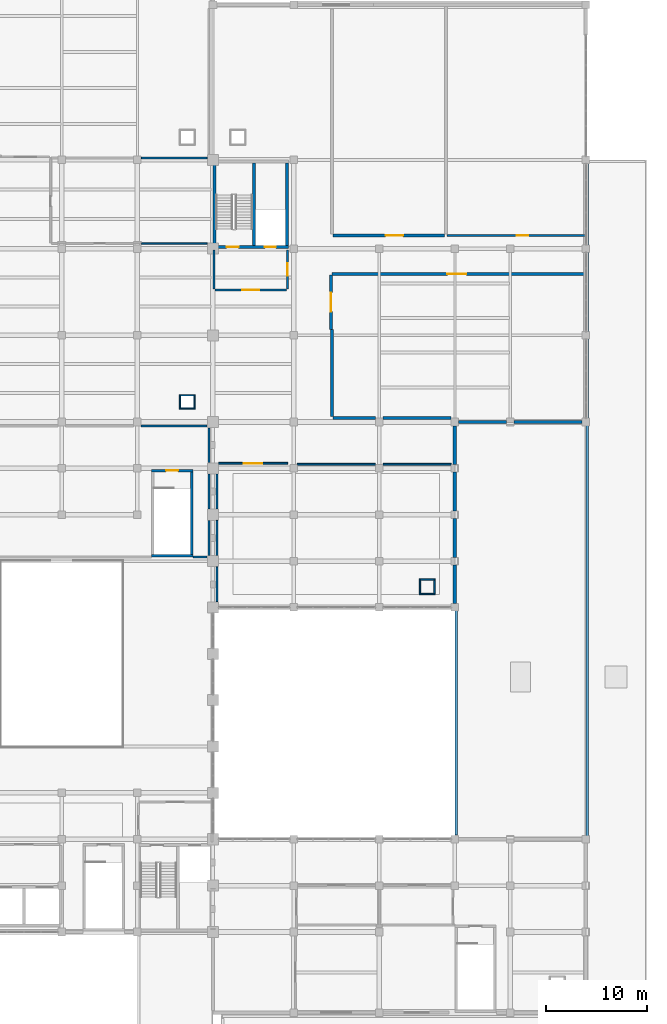
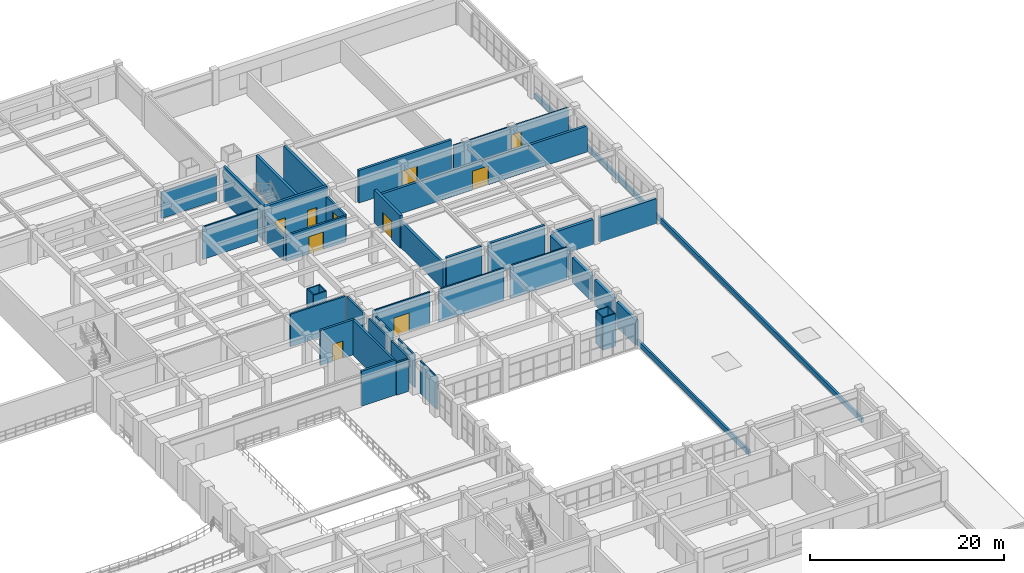
# One storey, part 77 of 90: 46 walls, 10 doors, 10 openings.
"""IFC4 building model written with IfcOpenShell, lengths in metres."""

from ifc_helpers import new_model, si_unit, direction, frame, frame_2d, origin, place, context, subcontext, project, spatial, rectangle, extrude, material, layer, layer_set, type_object, element, fill, save


model = new_model("IFC4")

# Units and contexts
model_context = context("Model", 3, precision=1e-05, world=origin(), true_north=direction((0.0, 1.0)))
body_context = subcontext(model_context, "Body", "Model", "MODEL_VIEW")
ifc_project = project(units=[si_unit("LENGTHUNIT", "METRE"), si_unit("AREAUNIT", "SQUARE_METRE"), si_unit("VOLUMEUNIT", "CUBIC_METRE"), si_unit("PLANEANGLEUNIT", "RADIAN"), si_unit("MASSUNIT", "GRAM", prefix="KILO")], contexts=[model_context])

# Site, building, storey
site_placement = place(None, origin())
site = spatial("IfcSite", under=ifc_project, at=site_placement, CompositionType="ELEMENT")
building_placement = place(site_placement, origin())
building = spatial("IfcBuilding", under=site, at=building_placement, Name="Muzn Square Opera House", CompositionType="ELEMENT")
storey_placement = place(building_placement, frame((0.0, 0.0, 9.800048828125)))
storey = spatial("IfcBuildingStorey", under=building, at=storey_placement, Name="L02", CompositionType="ELEMENT", Elevation=9.800048828125)

# Walls
ifc_material_1 = material(Name="Concrete C45/55", Category="concrete")
ifc_layer_1 = layer(ifc_material_1, 0.25, Name="Concrete C45/55", Category="concrete")
ifc_layer_set_1 = layer_set([ifc_layer_1], Name="Concrete C45/55")
wall_type_1 = type_object("IfcWallType", Name="Aux Stair Enclosure Wall 250mm", PredefinedType="SHEAR", material=ifc_layer_set_1)
wall_1_placement = place(storey_placement, frame((126.89990234375, 59.324951171875, 0.0), z_axis=(0.0, 0.0, 1.0), x_axis=(1.0, 0.0, 0.0)))
element("IfcWall", 1, at=wall_1_placement, inside=storey, type_object=wall_type_1, Name="Escape Stair ST-10 Wall S L02", PredefinedType="SHEAR", context=body_context, shape_type="SweptSolid", body=[
    extrude(rectangle(XDim=4.10009765625, YDim=0.25, at=frame_2d((2.050048828125, 0.0))), origin(), (0.0, 0.0, 1.0), 4.39990234375),
])
wall_2_placement = place(storey_placement, frame((130.875, 59.449951171875, 0.0), z_axis=(0.0, 0.0, 1.0), x_axis=(0.0, 1.0, 0.0)))
element("IfcWall", 2, at=wall_2_placement, inside=storey, type_object=wall_type_1, Name="Escape Stair ST-10 Wall E L02", PredefinedType="SHEAR", context=body_context, shape_type="SweptSolid", body=[
    extrude(rectangle(XDim=8.199951171875, YDim=0.25, at=frame_2d((4.10009765625, 0.0))), origin(), (0.0, 0.0, 1.0), 4.39990234375),
])

# Wall, opening, door
wall_3_placement = place(storey_placement, frame((126.89990234375, 67.77490234375, 0.0), z_axis=(0.0, 0.0, 1.0), x_axis=(1.0, 0.0, 0.0)))
wall_3 = element("IfcWall", 3, at=wall_3_placement, inside=storey, type_object=wall_type_1, Name="Escape Stair ST-10 Wall N L02", PredefinedType="SHEAR", context=body_context, shape_type="SweptSolid", body=[
    extrude(rectangle(XDim=4.10009765625, YDim=0.25, at=frame_2d((2.050048828125, 0.0))), origin(), (0.0, 0.0, 1.0), 4.39990234375),
])
opening_1_placement = place(wall_3_placement, frame((1.449951171875, 0.0, 0.0)))
opening_1 = element("IfcOpeningElement", 4, at=opening_1_placement, cuts=wall_3, Name="Opening DR-ST12", PredefinedType="OPENING", context=body_context, shape_type="SweptSolid", body=[
    extrude(rectangle(XDim=1.199951171875, YDim=2.14990234375, at=frame_2d((0.60009765625, 1.074951171875))), frame((0.0, 0.135009765625, 0.0), z_axis=(0.0, -1.0, 0.0), x_axis=(1.0, 0.0, 0.0)), (0.0, 0.0, 1.0), 0.27001953125),
])
ifc_material_2 = material(Name="Galvanised painted steel leaf", Category="metal")
door_type_1 = type_object("IfcDoorType", Name="Core Stair Fire Door 1200x2150", OperationType="NOTDEFINED", PredefinedType="DOOR", material=ifc_material_2)
door_1_placement = place(opening_1_placement, origin())
door_1 = element("IfcDoor", 5, at=door_1_placement, inside=storey, type_object=door_type_1, Name="Escape Stair ST-10 Door L02", OperationType="SINGLE_SWING_LEFT", OverallHeight=2.14990234375, OverallWidth=1.199951171875, PredefinedType="DOOR", context=body_context, shape_type="SweptSolid", body=[
    extrude(rectangle(XDim=1.199951171875, YDim=2.14990234375, at=frame_2d((0.60009765625, 1.074951171875))), frame((0.0, 0.02490234375, 0.0), z_axis=(0.0, -1.0, 0.0), x_axis=(1.0, 0.0, 0.0)), (0.0, 0.0, 1.0), 0.050048828125),
])
fill(opening_1, door_1)

# Walls
ifc_layer_2 = layer(ifc_material_1, 0.300048828125, Name="Concrete C45/55", Category="concrete")
ifc_layer_set_2 = layer_set([ifc_layer_2], Name="Concrete C45/55")
wall_type_2 = type_object("IfcWallType", Name="Core Shear Wall 300mm", PredefinedType="SHEAR", material=ifc_layer_set_2)
for number, where, z_axis, x_axis, name in (
    (6, (133.14990234375, 90.10009765625, 0.0), (0.0, 0.0, 1.0), (0.0, 1.0, 0.0), "Core C5 Shear Wall SW-C5-L02-W"),
    (7, (140.35009765625, 90.10009765625, 0.0), (0.0, 0.0, 1.0), (0.0, 1.0, 0.0), "Core C5 Shear Wall SW-C5-L02-E"),
    (8, (137.050048828125, 90.10009765625, 0.0), (0.0, 0.0, 1.0), (0.0, 1.0, 0.0), "Core C5 Shear Wall SW-C5-L02-DIV"),
):
    element("IfcWall", number, at=place(storey_placement, frame(where, z_axis=z_axis, x_axis=x_axis)), inside=storey, type_object=wall_type_2, Name=name, PredefinedType="SHEAR", context=body_context, shape_type="SweptSolid", body=[
        extrude(rectangle(XDim=8.199951171875, YDim=0.300048828125, at=frame_2d((4.10009765625, 0.0))), origin(), (0.0, 0.0, 1.0), 4.39990234375),
    ])

# Wall, openings, doors
wall_4_placement = place(storey_placement, frame((133.0, 89.949951171875, 0.0), z_axis=(0.0, 0.0, 1.0), x_axis=(1.0, 0.0, 0.0)))
wall_4 = element("IfcWall", 9, at=wall_4_placement, inside=storey, type_object=wall_type_2, Name="Core C5 Front Shear Wall L02", PredefinedType="SHEAR", context=body_context, shape_type="SweptSolid", body=[
    extrude(rectangle(XDim=7.5, YDim=0.300048828125, at=frame_2d((3.75, 0.0))), origin(), (0.0, 0.0, 1.0), 4.39990234375),
])
opening_2_placement = place(wall_4_placement, frame((2.550048828125, 0.0, 0.0), z_axis=(0.0, 0.0, 1.0), x_axis=(-1.0, 0.0, 0.0)))
opening_2 = element("IfcOpeningElement", 10, at=opening_2_placement, cuts=wall_4, Name="Opening DR-ST12", PredefinedType="OPENING", context=body_context, shape_type="SweptSolid", body=[
    extrude(rectangle(XDim=1.199951171875, YDim=2.14990234375, at=frame_2d((0.60009765625, 1.074951171875))), frame((0.0, 0.159912109375, 0.0), z_axis=(0.0, -1.0, 0.0), x_axis=(1.0, 0.0, 0.0)), (0.0, 0.0, 1.0), 0.320068359375),
])
opening_3_placement = place(wall_4_placement, frame((5.14990234375, 0.0, 0.0)))
opening_3 = element("IfcOpeningElement", 11, at=opening_3_placement, cuts=wall_4, Name="Opening LD-01", PredefinedType="OPENING", context=body_context, shape_type="SweptSolid", body=[
    extrude(rectangle(XDim=1.10009765625, YDim=2.14990234375, at=frame_2d((0.550048828125, 1.074951171875))), frame((0.0, 0.159912109375, 0.0), z_axis=(0.0, -1.0, 0.0), x_axis=(1.0, 0.0, 0.0)), (0.0, 0.0, 1.0), 0.320068359375),
])
door_2_placement = place(opening_2_placement, origin())
door_2 = element("IfcDoor", 12, at=door_2_placement, inside=storey, type_object=door_type_1, Name="Core C5 Stair Door L02", OperationType="SINGLE_SWING_RIGHT", OverallHeight=2.14990234375, OverallWidth=1.199951171875, PredefinedType="DOOR", context=body_context, shape_type="SweptSolid", body=[
    extrude(rectangle(XDim=1.199951171875, YDim=2.14990234375, at=frame_2d((0.60009765625, 1.074951171875))), frame((0.0, 0.02490234375, 0.0), z_axis=(0.0, -1.0, 0.0), x_axis=(1.0, 0.0, 0.0)), (0.0, 0.0, 1.0), 0.050048828125),
])
fill(opening_2, door_2)
ifc_material_3 = material(Name="Brushed stainless steel", Category="metal")
door_type_2 = type_object("IfcDoorType", Name="Lift Landing Sliding Door 1100x2150", OperationType="SLIDING_TO_LEFT", PredefinedType="DOOR", material=ifc_material_3)
door_3_placement = place(opening_3_placement, origin())
door_3 = element("IfcDoor", 13, at=door_3_placement, inside=storey, type_object=door_type_2, Name="Lift PL-5 Sliding Landing Door L02", OperationType="SLIDING_TO_LEFT", OverallHeight=2.14990234375, OverallWidth=1.10009765625, PredefinedType="DOOR", context=body_context, shape_type="SweptSolid", body=[
    extrude(rectangle(XDim=1.10009765625, YDim=2.14990234375, at=frame_2d((0.550048828125, 1.074951171875))), frame((0.0, 0.02490234375, 0.0), z_axis=(0.0, -1.0, 0.0), x_axis=(1.0, 0.0, 0.0)), (0.0, 0.0, 1.0), 0.050048828125),
])
fill(opening_3, door_3)

# Walls
ifc_material_4 = material(Name="Acoustic gypsum stud partition", Category="gypsum")
ifc_layer_3 = layer(ifc_material_4, 0.199951171875, Name="Acoustic gypsum stud partition", Category="gypsum")
ifc_layer_set_3 = layer_set([ifc_layer_3], Name="Acoustic gypsum stud partition")
wall_type_3 = type_object("IfcWallType", Name="Corridor Rated Partition 200mm", PredefinedType="PARTITIONING", material=ifc_layer_set_3)
wall_5_placement = place(storey_placement, frame((125.8798828125, 72.199951171875, 0.0), z_axis=(0.0, 0.0, 1.0), x_axis=(1.0, 0.0, 0.0)))
element("IfcWall", 14, at=wall_5_placement, inside=storey, type_object=wall_type_3, Name="Room Enclosure Partition PW-L02-0309", PredefinedType="PARTITIONING", context=body_context, shape_type="SweptSolid", body=[
    extrude(rectangle(XDim=6.550048828125, YDim=0.199951171875, at=frame_2d((3.27490234375, 0.0))), origin(), (0.0, 0.0, 1.0), 4.099853515625),
])
for number, where, z_axis, x_axis, name in (
    (15, (132.60009765625, 59.3701171875, 0.0), (0.0, 0.0, 1.0), (0.0, 1.0, 0.0), "Room Enclosure Partition PW-L02-0311"),
    (16, (132.60009765625, 63.969970703125, 0.0), (0.0, 0.0, 1.0), (0.0, 1.0, 0.0), "Room Enclosure Partition PW-L02-0312"),
    (17, (132.60009765625, 68.570068359375, 0.0), (0.0, 0.0, 1.0), (0.0, 1.0, 0.0), "Room Enclosure Partition PW-L02-0313"),
):
    element("IfcWall", number, at=place(storey_placement, frame(where, z_axis=z_axis, x_axis=x_axis)), inside=storey, type_object=wall_type_3, Name=name, PredefinedType="PARTITIONING", context=body_context, shape_type="SweptSolid", body=[
        extrude(rectangle(XDim=3.4599609375, YDim=0.199951171875, at=frame_2d((1.72998046875, 0.0))), origin(), (0.0, 0.0, 1.0), 4.099853515625),
    ])
wall_6_placement = place(storey_placement, frame((131.02001953125, 59.199951171875, 0.0), z_axis=(0.0, 0.0, 1.0), x_axis=(1.0, 0.0, 0.0)))
element("IfcWall", 18, at=wall_6_placement, inside=storey, type_object=wall_type_3, Name="Room Enclosure Partition PW-L02-0306", PredefinedType="PARTITIONING", context=body_context, shape_type="SweptSolid", body=[
    extrude(rectangle(XDim=1.409912109375, YDim=0.199951171875, at=frame_2d((0.705078125, 0.0))), origin(), (0.0, 0.0, 1.0), 4.099853515625),
])
ifc_material_5 = material(Name="Concrete C40/50", Category="concrete")
ifc_layer_4 = layer(ifc_material_5, 0.340087890625, Name="Concrete C40/50", Category="concrete")
ifc_layer_set_4 = layer_set([ifc_layer_4], Name="Concrete C40/50")
wall_type_4 = type_object("IfcWallType", Name="Exterior Insulated Spandrel Wall 340mm", PredefinedType="SOLIDWALL", material=ifc_layer_set_4)
wall_7_placement = place(storey_placement, frame((157.375, 72.60009765625, 0.0), z_axis=(0.0, 0.0, 1.0), x_axis=(1.0, 0.0, 0.0)))
element("IfcWall", 19, at=wall_7_placement, inside=storey, type_object=wall_type_4, Name="Exterior Facade Wall EW-L02-193", PredefinedType="SOLIDWALL", context=body_context, shape_type="SweptSolid", body=[
    extrude(rectangle(XDim=4.75, YDim=0.340087890625, at=frame_2d((2.375, 0.0))), origin(), (0.0, 0.0, 1.0), 3.14990234375),
])
wall_8_placement = place(storey_placement, frame((162.875, 72.60009765625, 0.0), z_axis=(0.0, 0.0, 1.0), x_axis=(1.0, 0.0, 0.0)))
element("IfcWall", 20, at=wall_8_placement, inside=storey, type_object=wall_type_4, Name="Exterior Facade Wall EW-L02-194", PredefinedType="SOLIDWALL", context=body_context, shape_type="SweptSolid", body=[
    extrude(rectangle(XDim=6.75, YDim=0.340087890625, at=frame_2d((3.375, 0.0))), origin(), (0.0, 0.0, 1.0), 3.14990234375),
])
wall_9_placement = place(storey_placement, frame((157.0, 54.574951171875, 0.0), z_axis=(0.0, 0.0, 1.0), x_axis=(0.0, 1.0, 0.0)))
element("IfcWall", 21, at=wall_9_placement, inside=storey, type_object=wall_type_4, Name="Exterior Facade Wall EW-L02-195", PredefinedType="SOLIDWALL", context=body_context, shape_type="SweptSolid", body=[
    extrude(rectangle(XDim=3.85009765625, YDim=0.340087890625, at=frame_2d((1.925048828125, 0.0))), origin(), (0.0, 0.0, 1.0), 3.14990234375),
])
wall_10_placement = place(storey_placement, frame((157.0, 59.175048828125, 0.0), z_axis=(0.0, 0.0, 1.0), x_axis=(0.0, 1.0, 0.0)))
element("IfcWall", 22, at=wall_10_placement, inside=storey, type_object=wall_type_4, Name="Exterior Facade Wall EW-L02-196", PredefinedType="SOLIDWALL", context=body_context, shape_type="SweptSolid", body=[
    extrude(rectangle(XDim=3.849853515625, YDim=0.340087890625, at=frame_2d((1.9248046875, 0.0))), origin(), (0.0, 0.0, 1.0), 3.14990234375),
])
for number, where, z_axis, x_axis, name in (
    (23, (157.0, 63.77490234375, 0.0), (0.0, 0.0, 1.0), (0.0, 1.0, 0.0), "Exterior Facade Wall EW-L02-197"),
    (24, (157.0, 68.375, 0.0), (0.0, 0.0, 1.0), (0.0, 1.0, 0.0), "Exterior Facade Wall EW-L02-198"),
):
    element("IfcWall", number, at=place(storey_placement, frame(where, z_axis=z_axis, x_axis=x_axis)), inside=storey, type_object=wall_type_4, Name=name, PredefinedType="SOLIDWALL", context=body_context, shape_type="SweptSolid", body=[
        extrude(rectangle(XDim=3.85009765625, YDim=0.340087890625, at=frame_2d((1.925048828125, 0.0))), origin(), (0.0, 0.0, 1.0), 3.14990234375),
    ])

# Wall, opening, door
ifc_layer_5 = layer(ifc_material_4, 0.169921875, Name="Acoustic gypsum stud partition", Category="gypsum")
ifc_layer_set_5 = layer_set([ifc_layer_5], Name="Acoustic gypsum stud partition")
wall_type_5 = type_object("IfcWallType", Name="Gallery Partition 170mm", PredefinedType="PARTITIONING", material=ifc_layer_set_5)
wall_11_placement = place(storey_placement, frame((133.570068359375, 68.5, 0.0), z_axis=(0.0, 0.0, 1.0), x_axis=(1.0, 0.0, 0.0)))
wall_11 = element("IfcWall", 25, at=wall_11_placement, inside=storey, type_object=wall_type_5, Name="Interior Partition PW-L02-0257", PredefinedType="PARTITIONING", context=body_context, shape_type="SweptSolid", body=[
    extrude(rectangle(XDim=6.829833984375, YDim=0.169921875, at=frame_2d((3.4150390625, 0.0))), origin(), (0.0, 0.0, 1.0), 4.099853515625),
])
opening_4_placement = place(wall_11_placement, frame((2.489990234375, 0.0, 0.0)))
opening_4 = element("IfcOpeningElement", 26, at=opening_4_placement, cuts=wall_11, Name="Opening DR-EG18", PredefinedType="OPENING", context=body_context, shape_type="SweptSolid", body=[
    extrude(rectangle(XDim=1.85009765625, YDim=2.300048828125, at=frame_2d((0.925048828125, 1.14990234375))), frame((0.0, 0.094970703125, 0.0), z_axis=(0.0, -1.0, 0.0), x_axis=(1.0, 0.0, 0.0)), (0.0, 0.0, 1.0), 0.18994140625),
])
ifc_material_6 = material(Name="Acoustic hardwood leaf", Category="wood")
door_type_3 = type_object("IfcDoorType", Name="Exhibition Gallery Pair 1850x2300", OperationType="DOUBLE_DOOR_SINGLE_SWING", PredefinedType="DOOR", material=ifc_material_6)
door_4_placement = place(opening_4_placement, origin())
door_4 = element("IfcDoor", 27, at=door_4_placement, inside=storey, type_object=door_type_3, Name="Opera Exhibition Gallery Door DR-L02-0073", OperationType="DOUBLE_DOOR_SINGLE_SWING", OverallHeight=2.300048828125, OverallWidth=1.85009765625, PredefinedType="DOOR", context=body_context, shape_type="SweptSolid", body=[
    extrude(rectangle(XDim=1.85009765625, YDim=2.300048828125, at=frame_2d((0.925048828125, 1.14990234375))), frame((0.0, 0.02490234375, 0.0), z_axis=(0.0, -1.0, 0.0), x_axis=(1.0, 0.0, 0.0)), (0.0, 0.0, 1.0), 0.050048828125),
])
fill(opening_4, door_4)

# Walls
wall_12_placement = place(storey_placement, frame((141.3798828125, 68.39990234375, 0.0), z_axis=(0.0, 0.0, 1.0), x_axis=(1.0, 0.0, 0.0)))
element("IfcWall", 28, at=wall_12_placement, inside=storey, type_object=wall_type_5, Name="Room Enclosure Partition PW-L02-0314", PredefinedType="PARTITIONING", context=body_context, shape_type="SweptSolid", body=[
    extrude(rectangle(XDim=7.740234375, YDim=0.169921875, at=frame_2d((3.8701171875, 0.0))), origin(), (0.0, 0.0, 1.0), 4.099853515625),
])
wall_13_placement = place(storey_placement, frame((149.8798828125, 68.39990234375, 0.0), z_axis=(0.0, 0.0, 1.0), x_axis=(1.0, 0.0, 0.0)))
element("IfcWall", 29, at=wall_13_placement, inside=storey, type_object=wall_type_5, Name="Room Enclosure Partition PW-L02-0315", PredefinedType="PARTITIONING", context=body_context, shape_type="SweptSolid", body=[
    extrude(rectangle(XDim=6.740234375, YDim=0.169921875, at=frame_2d((3.3701171875, 0.0))), origin(), (0.0, 0.0, 1.0), 4.099853515625),
])
for number, where, z_axis, x_axis, name in (
    (30, (133.39990234375, 54.77001953125, 0.0), (0.0, 0.0, 1.0), (0.0, 1.0, 0.0), "Room Enclosure Partition PW-L02-0316"),
    (31, (133.39990234375, 59.3701171875, 0.0), (0.0, 0.0, 1.0), (0.0, 1.0, 0.0), "Room Enclosure Partition PW-L02-0317"),
    (32, (133.39990234375, 63.969970703125, 0.0), (0.0, 0.0, 1.0), (0.0, 1.0, 0.0), "Room Enclosure Partition PW-L02-0318"),
):
    element("IfcWall", number, at=place(storey_placement, frame(where, z_axis=z_axis, x_axis=x_axis)), inside=storey, type_object=wall_type_5, Name=name, PredefinedType="PARTITIONING", context=body_context, shape_type="SweptSolid", body=[
        extrude(rectangle(XDim=3.4599609375, YDim=0.169921875, at=frame_2d((1.72998046875, 0.0))), origin(), (0.0, 0.0, 1.0), 4.099853515625),
    ])

# Wall, opening, door
ifc_layer_6 = layer(ifc_material_5, 0.219970703125, Name="Concrete C40/50", Category="concrete")
ifc_layer_set_6 = layer_set([ifc_layer_6], Name="Concrete C40/50")
wall_type_6 = type_object("IfcWallType", Name="Lift Lobby Wall 220mm", PredefinedType="SOLIDWALL", material=ifc_layer_set_6)
wall_14_placement = place(storey_placement, frame((133.219970703125, 85.7099609375, 0.0), z_axis=(0.0, 0.0, 1.0), x_axis=(1.0, 0.0, 0.0)))
wall_14 = element("IfcWall", 33, at=wall_14_placement, inside=storey, type_object=wall_type_6, Name="Lobby C5 Enclosure Wall L02", PredefinedType="SOLIDWALL", context=body_context, shape_type="SweptSolid", body=[
    extrude(rectangle(XDim=7.06005859375, YDim=0.219970703125, at=frame_2d((3.530029296875, 0.0))), origin(), (0.0, 0.0, 1.0), 3.260009765625),
])
opening_5_placement = place(wall_14_placement, frame((4.3798828125, 0.0, 0.0), z_axis=(0.0, 0.0, 1.0), x_axis=(-1.0, 0.0, 0.0)))
opening_5 = element("IfcOpeningElement", 34, at=opening_5_placement, cuts=wall_14, Name="Opening DR-LL17", PredefinedType="OPENING", context=body_context, shape_type="SweptSolid", body=[
    extrude(rectangle(XDim=1.699951171875, YDim=2.179931640625, at=frame_2d((0.85009765625, 1.08984375))), frame((0.0, 0.119873046875, 0.0), z_axis=(0.0, -1.0, 0.0), x_axis=(1.0, 0.0, 0.0)), (0.0, 0.0, 1.0), 0.239990234375),
])
door_type_4 = type_object("IfcDoorType", Name="Lift Lobby Double Door 1700x2180", OperationType="DOUBLE_DOOR_SINGLE_SWING", PredefinedType="DOOR", material=ifc_material_6)
door_5_placement = place(opening_5_placement, origin())
door_5 = element("IfcDoor", 35, at=door_5_placement, inside=storey, type_object=door_type_4, Name="Lobby C5 Fire Door L02", OperationType="DOUBLE_DOOR_SINGLE_SWING", OverallHeight=2.179931640625, OverallWidth=1.699951171875, PredefinedType="DOOR", context=body_context, shape_type="SweptSolid", body=[
    extrude(rectangle(XDim=1.699951171875, YDim=2.179931640625, at=frame_2d((0.85009765625, 1.08984375))), frame((0.0, 0.02490234375, 0.0), z_axis=(0.0, -1.0, 0.0), x_axis=(1.0, 0.0, 0.0)), (0.0, 0.0, 1.0), 0.050048828125),
])
fill(opening_5, door_5)

# Wall
wall_15_placement = place(storey_placement, frame((133.110107421875, 85.820068359375, 0.0), z_axis=(0.0, 0.0, 1.0), x_axis=(0.0, 1.0, 0.0)))
element("IfcWall", 36, at=wall_15_placement, inside=storey, type_object=wall_type_6, Name="Lobby C5 Side Wall W L02", PredefinedType="SOLIDWALL", context=body_context, shape_type="SweptSolid", body=[
    extrude(rectangle(XDim=3.829833984375, YDim=0.219970703125, at=frame_2d((1.9150390625, 0.0))), origin(), (0.0, 0.0, 1.0), 3.260009765625),
])

# Wall, opening, door
wall_16_placement = place(storey_placement, frame((140.389892578125, 85.820068359375, 0.0), z_axis=(0.0, 0.0, 1.0), x_axis=(0.0, 1.0, 0.0)))
wall_16 = element("IfcWall", 37, at=wall_16_placement, inside=storey, type_object=wall_type_6, Name="Lobby C5 Side Wall E L02", PredefinedType="SOLIDWALL", context=body_context, shape_type="SweptSolid", body=[
    extrude(rectangle(XDim=3.829833984375, YDim=0.219970703125, at=frame_2d((1.9150390625, 0.0))), origin(), (0.0, 0.0, 1.0), 3.260009765625),
])
opening_6_placement = place(wall_16_placement, frame((2.514892578125, 0.0, 0.0), z_axis=(0.0, 0.0, 1.0), x_axis=(-1.0, 0.0, 0.0)))
opening_6 = element("IfcOpeningElement", 38, at=opening_6_placement, cuts=wall_16, Name="Opening DR-ST12", PredefinedType="OPENING", context=body_context, shape_type="SweptSolid", body=[
    extrude(rectangle(XDim=1.199951171875, YDim=2.14990234375, at=frame_2d((0.60009765625, 1.074951171875))), frame((0.0, 0.119873046875, 0.0), z_axis=(0.0, -1.0, 0.0), x_axis=(1.0, 0.0, 0.0)), (0.0, 0.0, 1.0), 0.239990234375),
])
door_6_placement = place(opening_6_placement, origin())
door_6 = element("IfcDoor", 39, at=door_6_placement, inside=storey, type_object=door_type_1, Name="Lobby C5 Side Door E L02", OperationType="SINGLE_SWING_LEFT", OverallHeight=2.14990234375, OverallWidth=1.199951171875, PredefinedType="DOOR", context=body_context, shape_type="SweptSolid", body=[
    extrude(rectangle(XDim=1.199951171875, YDim=2.14990234375, at=frame_2d((0.60009765625, 1.074951171875))), frame((0.0, 0.02490234375, 0.0), z_axis=(0.0, -1.0, 0.0), x_axis=(1.0, 0.0, 0.0)), (0.0, 0.0, 1.0), 0.050048828125),
])
fill(opening_6, door_6)

ifc_layer_7 = layer(ifc_material_4, 0.2900390625, Name="Acoustic gypsum stud partition", Category="gypsum")
ifc_layer_set_7 = layer_set([ifc_layer_7], Name="Acoustic gypsum stud partition")
wall_type_7 = type_object("IfcWallType", Name="Rehearsal Sound Wall 290mm", PredefinedType="PARTITIONING", material=ifc_layer_set_7)
wall_17_placement = place(storey_placement, frame((144.699951171875, 81.800048828125, 0.0), z_axis=(0.0, 0.0, 1.0), x_axis=(0.0, 1.0, 0.0)))
wall_17 = element("IfcWall", 40, at=wall_17_placement, inside=storey, type_object=wall_type_7, Name="Interior Partition PW-L02-0266", PredefinedType="PARTITIONING", context=body_context, shape_type="SweptSolid", body=[
    extrude(rectangle(XDim=5.369873046875, YDim=0.2900390625, at=frame_2d((2.68505859375, 0.0))), origin(), (0.0, 0.0, 1.0), 4.099853515625),
])
opening_7_placement = place(wall_17_placement, frame((1.75, 0.0, 0.0)))
opening_7 = element("IfcOpeningElement", 41, at=opening_7_placement, cuts=wall_17, Name="Opening DR-RH19", PredefinedType="OPENING", context=body_context, shape_type="SweptSolid", body=[
    extrude(rectangle(XDim=1.89990234375, YDim=2.35009765625, at=frame_2d((0.949951171875, 1.175048828125))), frame((0.0, 0.155029296875, 0.0), z_axis=(0.0, -1.0, 0.0), x_axis=(1.0, 0.0, 0.0)), (0.0, 0.0, 1.0), 0.31005859375),
])
door_type_5 = type_object("IfcDoorType", Name="Rehearsal Hall Acoustic Door 1900x2350", OperationType="DOUBLE_DOOR_SINGLE_SWING", PredefinedType="DOOR", material=ifc_material_6)
door_7_placement = place(opening_7_placement, origin())
door_7 = element("IfcDoor", 42, at=door_7_placement, inside=storey, type_object=door_type_5, Name="Chorus Rehearsal Studio Door DR-L02-0079", OperationType="DOUBLE_DOOR_SINGLE_SWING", OverallHeight=2.35009765625, OverallWidth=1.89990234375, PredefinedType="DOOR", context=body_context, shape_type="SweptSolid", body=[
    extrude(rectangle(XDim=1.89990234375, YDim=2.35009765625, at=frame_2d((0.949951171875, 1.175048828125))), frame((0.0, 0.02490234375, 0.0), z_axis=(0.0, -1.0, 0.0), x_axis=(1.0, 0.0, 0.0)), (0.0, 0.0, 1.0), 0.050048828125),
])
fill(opening_7, door_7)

wall_18_placement = place(storey_placement, frame((144.830078125, 87.300048828125, 0.0), z_axis=(0.0, 0.0, 1.0), x_axis=(1.0, 0.0, 0.0)))
wall_18 = element("IfcWall", 43, at=wall_18_placement, inside=storey, type_object=wall_type_7, Name="Interior Partition PW-L02-0267", PredefinedType="PARTITIONING", context=body_context, shape_type="SweptSolid", body=[
    extrude(rectangle(XDim=25.0849609375, YDim=0.2900390625, at=frame_2d((12.54248046875, 0.0))), origin(), (0.0, 0.0, 1.0), 3.260009765625),
])
opening_8_placement = place(wall_18_placement, frame((11.419921875, 0.0, 0.0)))
opening_8 = element("IfcOpeningElement", 44, at=opening_8_placement, cuts=wall_18, Name="Opening DR-RH19", PredefinedType="OPENING", context=body_context, shape_type="SweptSolid", body=[
    extrude(rectangle(XDim=1.89990234375, YDim=2.35009765625, at=frame_2d((0.949951171875, 1.175048828125))), frame((0.0, 0.155029296875, 0.0), z_axis=(0.0, -1.0, 0.0), x_axis=(1.0, 0.0, 0.0)), (0.0, 0.0, 1.0), 0.31005859375),
])
door_8_placement = place(opening_8_placement, origin())
door_8 = element("IfcDoor", 45, at=door_8_placement, inside=storey, type_object=door_type_5, Name="Chorus Rehearsal Studio Door DR-L02-0080", OperationType="DOUBLE_DOOR_SINGLE_SWING", OverallHeight=2.35009765625, OverallWidth=1.89990234375, PredefinedType="DOOR", context=body_context, shape_type="SweptSolid", body=[
    extrude(rectangle(XDim=1.89990234375, YDim=2.35009765625, at=frame_2d((0.949951171875, 1.175048828125))), frame((0.0, 0.02490234375, 0.0), z_axis=(0.0, -1.0, 0.0), x_axis=(1.0, 0.0, 0.0)), (0.0, 0.0, 1.0), 0.050048828125),
])
fill(opening_8, door_8)

wall_19_placement = place(storey_placement, frame((144.929931640625, 91.10009765625, 0.0), z_axis=(0.0, 0.0, 1.0), x_axis=(1.0, 0.0, 0.0)))
wall_19 = element("IfcWall", 46, at=wall_19_placement, inside=storey, type_object=wall_type_7, Name="Interior Partition PW-L02-0269", PredefinedType="PARTITIONING", context=body_context, shape_type="SweptSolid", body=[
    extrude(rectangle(XDim=11.0400390625, YDim=0.2900390625, at=frame_2d((5.52001953125, 0.0))), origin(), (0.0, 0.0, 1.0), 4.099853515625),
])
opening_9_placement = place(wall_19_placement, frame((5.195068359375, 0.0, 0.0)))
opening_9 = element("IfcOpeningElement", 47, at=opening_9_placement, cuts=wall_19, Name="Opening DR-BS17", PredefinedType="OPENING", context=body_context, shape_type="SweptSolid", body=[
    extrude(rectangle(XDim=1.75, YDim=2.25, at=frame_2d((0.875, 1.125))), frame((0.0, 0.155029296875, 0.0), z_axis=(0.0, -1.0, 0.0), x_axis=(1.0, 0.0, 0.0)), (0.0, 0.0, 1.0), 0.31005859375),
])
door_type_6 = type_object("IfcDoorType", Name="Ballet Studio Double Door 1750x2250", OperationType="DOUBLE_DOOR_SINGLE_SWING", PredefinedType="DOOR", material=ifc_material_6)
door_9_placement = place(opening_9_placement, origin())
door_9 = element("IfcDoor", 48, at=door_9_placement, inside=storey, type_object=door_type_6, Name="Ballet Rehearsal Studio Door DR-L02-0081", OperationType="DOUBLE_DOOR_SINGLE_SWING", OverallHeight=2.25, OverallWidth=1.75, PredefinedType="DOOR", context=body_context, shape_type="SweptSolid", body=[
    extrude(rectangle(XDim=1.75, YDim=2.25, at=frame_2d((0.875, 1.125))), frame((0.0, 0.02490234375, 0.0), z_axis=(0.0, -1.0, 0.0), x_axis=(1.0, 0.0, 0.0)), (0.0, 0.0, 1.0), 0.050048828125),
])
fill(opening_9, door_9)

# Walls
wall_20_placement = place(storey_placement, frame((144.929931640625, 73.0, 0.0), z_axis=(0.0, 0.0, 1.0), x_axis=(1.0, 0.0, 0.0)))
element("IfcWall", 49, at=wall_20_placement, inside=storey, type_object=wall_type_7, Name="Room Enclosure Partition PW-L02-0320", PredefinedType="PARTITIONING", context=body_context, shape_type="SweptSolid", body=[
    extrude(rectangle(XDim=4.190185546875, YDim=0.2900390625, at=frame_2d((2.09521484375, 0.0))), origin(), (0.0, 0.0, 1.0), 4.099853515625),
])
wall_21_placement = place(storey_placement, frame((149.8798828125, 73.0, 0.0), z_axis=(0.0, 0.0, 1.0), x_axis=(1.0, 0.0, 0.0)))
element("IfcWall", 50, at=wall_21_placement, inside=storey, type_object=wall_type_7, Name="Room Enclosure Partition PW-L02-0321", PredefinedType="PARTITIONING", context=body_context, shape_type="SweptSolid", body=[
    extrude(rectangle(XDim=6.740234375, YDim=0.2900390625, at=frame_2d((3.3701171875, 0.0))), origin(), (0.0, 0.0, 1.0), 4.099853515625),
])
wall_22_placement = place(storey_placement, frame((144.800048828125, 73.1298828125, 0.0), z_axis=(0.0, 0.0, 1.0), x_axis=(0.0, 1.0, 0.0)))
element("IfcWall", 51, at=wall_22_placement, inside=storey, type_object=wall_type_7, Name="Room Enclosure Partition PW-L02-0322", PredefinedType="PARTITIONING", context=body_context, shape_type="SweptSolid", body=[
    extrude(rectangle(XDim=8.650146484375, YDim=0.2900390625, at=frame_2d((4.3251953125, 0.0))), origin(), (0.0, 0.0, 1.0), 3.306884765625),
])
ifc_material_7 = material(Name="Precast concrete C40/50", Category="concrete")
ifc_layer_8 = layer(ifc_material_7, 0.239990234375, Name="Precast concrete C40/50", Category="concrete")
ifc_layer_set_8 = layer_set([ifc_layer_8], Name="Precast concrete C40/50")
wall_type_8 = type_object("IfcWallType", Name="Roof Parapet Wall 240mm", PredefinedType="PARAPET", material=ifc_layer_set_8)
wall_23_placement = place(storey_placement, frame((170.14990234375, 30.844970703125, 0.0), z_axis=(0.0, 0.0, 1.0), x_axis=(0.0, 1.0, 0.0)))
element("IfcWall", 52, at=wall_23_placement, inside=storey, type_object=wall_type_8, Name="Roof Parapet ROOF-L02-COL-EB-W", PredefinedType="PARAPET", context=body_context, shape_type="SweptSolid", body=[
    extrude(rectangle(XDim=67.35498046875, YDim=0.239990234375, at=frame_2d((33.677490234375, 0.0))), origin(), (0.0, 0.0, 1.0), 0.64990234375),
])
wall_24_placement = place(storey_placement, frame((157.14990234375, 31.60009765625, 0.0), z_axis=(0.0, 0.0, 1.0), x_axis=(0.0, 1.0, 0.0)))
element("IfcWall", 53, at=wall_24_placement, inside=storey, type_object=wall_type_8, Name="Roof Parapet ROOF-L02-EOUTER-W", PredefinedType="PARAPET", context=body_context, shape_type="SweptSolid", body=[
    extrude(rectangle(XDim=22.954833984375, YDim=0.239990234375, at=frame_2d((11.4775390625, 0.0))), origin(), (0.0, 0.0, 1.0), 0.64990234375),
])
ifc_layer_9 = layer(ifc_material_4, 0.1298828125, Name="Acoustic gypsum stud partition", Category="gypsum")
ifc_layer_set_9 = layer_set([ifc_layer_9], Name="Acoustic gypsum stud partition")
wall_type_9 = type_object("IfcWallType", Name="Service Closet Partition 130mm", PredefinedType="PARTITIONING", material=ifc_layer_set_9)
for number, where, z_axis, x_axis, name in (
    (54, (153.469970703125, 55.534912109375, 0.0), (0.0, 0.0, 1.0), (1.0, 0.0, 0.0), "MEP Riser Shaft Wall RSR-EM L02-S"),
    (55, (153.469970703125, 56.965087890625, 0.0), (0.0, 0.0, 1.0), (1.0, 0.0, 0.0), "MEP Riser Shaft Wall RSR-EM L02-N"),
):
    element("IfcWall", number, at=place(storey_placement, frame(where, z_axis=z_axis, x_axis=x_axis)), inside=storey, type_object=wall_type_9, Name=name, PredefinedType="PARTITIONING", context=body_context, shape_type="SweptSolid", body=[
        extrude(rectangle(XDim=1.56005859375, YDim=0.1298828125, at=frame_2d((0.780029296875, 0.0))), origin(), (0.0, 0.0, 1.0), 4.099853515625),
    ])
for number, where, z_axis, x_axis, name in (
    (56, (153.534912109375, 55.60009765625, 0.0), (0.0, 0.0, 1.0), (0.0, 1.0, 0.0), "MEP Riser Shaft Wall RSR-EM L02-W"),
    (57, (154.965087890625, 55.60009765625, 0.0), (0.0, 0.0, 1.0), (0.0, 1.0, 0.0), "MEP Riser Shaft Wall RSR-EM L02-E"),
):
    element("IfcWall", number, at=place(storey_placement, frame(where, z_axis=z_axis, x_axis=x_axis)), inside=storey, type_object=wall_type_9, Name=name, PredefinedType="PARTITIONING", context=body_context, shape_type="SweptSolid", body=[
        extrude(rectangle(XDim=1.2998046875, YDim=0.1298828125, at=frame_2d((0.64990234375, 0.0))), origin(), (0.0, 0.0, 1.0), 4.099853515625),
    ])
for number, where, z_axis, x_axis, name in (
    (58, (129.669921875, 73.93505859375, 0.0), (0.0, 0.0, 1.0), (1.0, 0.0, 0.0), "MEP Riser Shaft Wall RSR-SE L02-S"),
    (59, (129.669921875, 75.264892578125, 0.0), (0.0, 0.0, 1.0), (1.0, 0.0, 0.0), "MEP Riser Shaft Wall RSR-SE L02-N"),
):
    element("IfcWall", number, at=place(storey_placement, frame(where, z_axis=z_axis, x_axis=x_axis)), inside=storey, type_object=wall_type_9, Name=name, PredefinedType="PARTITIONING", context=body_context, shape_type="SweptSolid", body=[
        extrude(rectangle(XDim=1.56005859375, YDim=0.1298828125, at=frame_2d((0.780029296875, 0.0))), origin(), (0.0, 0.0, 1.0), 4.099853515625),
    ])
for number, where, z_axis, x_axis, name in (
    (60, (129.735107421875, 74.0, 0.0), (0.0, 0.0, 1.0), (0.0, 1.0, 0.0), "MEP Riser Shaft Wall RSR-SE L02-W"),
    (61, (131.1650390625, 74.0, 0.0), (0.0, 0.0, 1.0), (0.0, 1.0, 0.0), "MEP Riser Shaft Wall RSR-SE L02-E"),
):
    element("IfcWall", number, at=place(storey_placement, frame(where, z_axis=z_axis, x_axis=x_axis)), inside=storey, type_object=wall_type_9, Name=name, PredefinedType="PARTITIONING", context=body_context, shape_type="SweptSolid", body=[
        extrude(rectangle(XDim=1.199951171875, YDim=0.1298828125, at=frame_2d((0.60009765625, 0.0))), origin(), (0.0, 0.0, 1.0), 4.099853515625),
    ])

# Wall, opening, door
ifc_layer_10 = layer(ifc_material_4, 0.159912109375, Name="Acoustic gypsum stud partition", Category="gypsum")
ifc_layer_set_10 = layer_set([ifc_layer_10], Name="Acoustic gypsum stud partition")
wall_type_10 = type_object("IfcWallType", Name="Workshop Rated Partition 160mm", PredefinedType="PARTITIONING", material=ifc_layer_set_10)
wall_25_placement = place(storey_placement, frame((156.22998046875, 91.10009765625, 0.0), z_axis=(0.0, 0.0, 1.0), x_axis=(1.0, 0.0, 0.0)))
wall_25 = element("IfcWall", 62, at=wall_25_placement, inside=storey, type_object=wall_type_10, Name="Interior Partition PW-L02-0270", PredefinedType="PARTITIONING", context=body_context, shape_type="SweptSolid", body=[
    extrude(rectangle(XDim=13.68505859375, YDim=0.159912109375, at=frame_2d((6.842529296875, 0.0))), origin(), (0.0, 0.0, 1.0), 3.260009765625),
])
opening_10_placement = place(wall_25_placement, frame((6.89501953125, 0.0, 0.0)))
opening_10 = element("IfcOpeningElement", 63, at=opening_10_placement, cuts=wall_25, Name="Opening DR-AR11", PredefinedType="OPENING", context=body_context, shape_type="SweptSolid", body=[
    extrude(rectangle(XDim=1.14990234375, YDim=2.179931640625, at=frame_2d((0.574951171875, 1.08984375))), frame((0.0, 0.08984375, 0.0), z_axis=(0.0, -1.0, 0.0), x_axis=(1.0, 0.0, 0.0)), (0.0, 0.0, 1.0), 0.179931640625),
])
door_type_7 = type_object("IfcDoorType", Name="Archive Fire Door 1150x2180", OperationType="NOTDEFINED", PredefinedType="DOOR", material=ifc_material_2)
door_10_placement = place(opening_10_placement, origin())
door_10 = element("IfcDoor", 64, at=door_10_placement, inside=storey, type_object=door_type_7, Name="Sheet-Music and Libretto Archive Door DR-L02-0082", OperationType="SINGLE_SWING_LEFT", OverallHeight=2.179931640625, OverallWidth=1.14990234375, PredefinedType="DOOR", context=body_context, shape_type="SweptSolid", body=[
    extrude(rectangle(XDim=1.14990234375, YDim=2.179931640625, at=frame_2d((0.574951171875, 1.08984375))), frame((0.0, 0.02490234375, 0.0), z_axis=(0.0, -1.0, 0.0), x_axis=(1.0, 0.0, 0.0)), (0.0, 0.0, 1.0), 0.050048828125),
])
fill(opening_10, door_10)

# Walls
wall_26_placement = place(storey_placement, frame((125.89501953125, 98.800048828125, 0.0), z_axis=(0.0, 0.0, 1.0), x_axis=(1.0, 0.0, 0.0)))
element("IfcWall", 65, at=wall_26_placement, inside=storey, type_object=wall_type_10, Name="Interior Partition PW-L02-0286", PredefinedType="PARTITIONING", context=body_context, shape_type="SweptSolid", body=[
    extrude(rectangle(XDim=6.534912109375, YDim=0.159912109375, at=frame_2d((3.267578125, 0.0))), origin(), (0.0, 0.0, 1.0), 3.329833984375),
])
wall_27_placement = place(storey_placement, frame((125.89501953125, 90.300048828125, 0.0), z_axis=(0.0, 0.0, 1.0), x_axis=(1.0, 0.0, 0.0)))
element("IfcWall", 66, at=wall_27_placement, inside=storey, type_object=wall_type_10, Name="Interior Partition PW-L02-0290", PredefinedType="PARTITIONING", context=body_context, shape_type="SweptSolid", body=[
    extrude(rectangle(XDim=6.534912109375, YDim=0.159912109375, at=frame_2d((3.267578125, 0.0))), origin(), (0.0, 0.0, 1.0), 4.099853515625),
])

save(model, "model.ifc")
